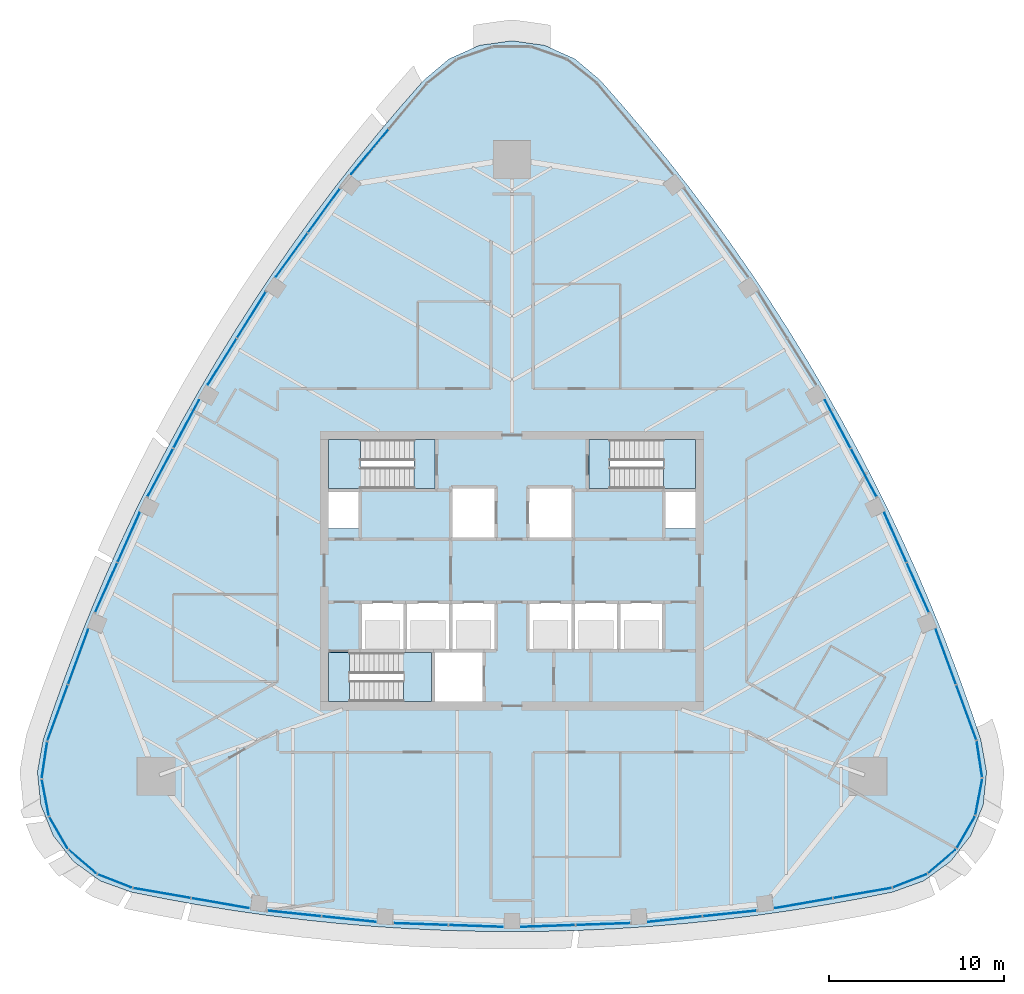
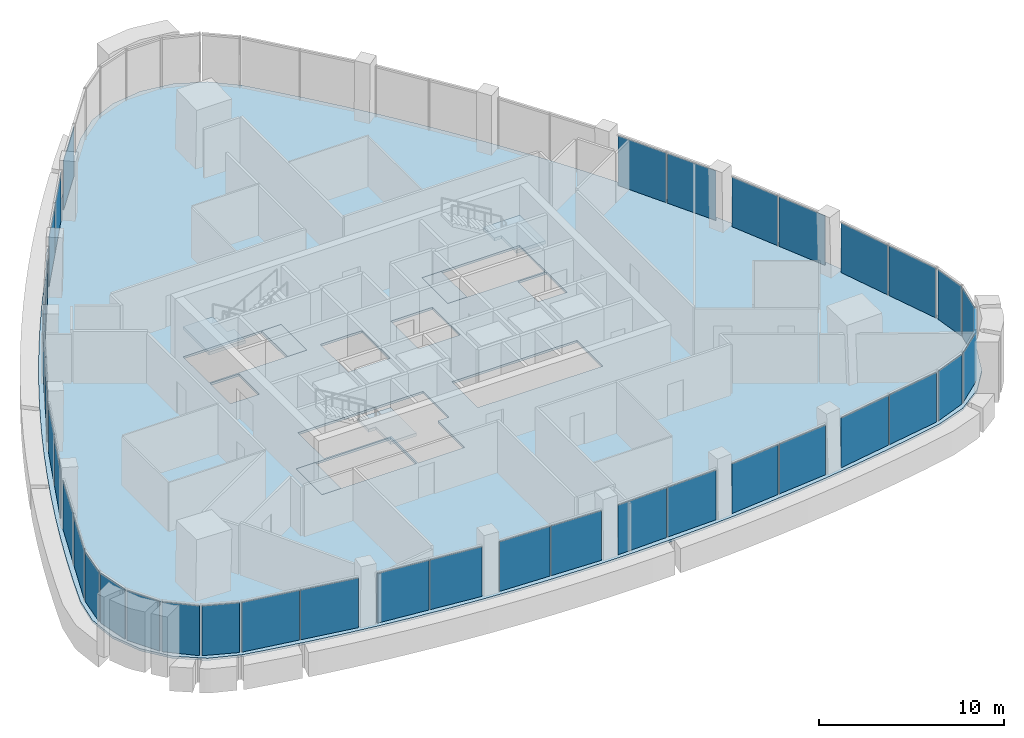
# One storey, part 7 of 15: 39 plates, 7 slabs, 28 elements without a shape of their own.
"""IFC4 building model written with IfcOpenShell, lengths in metres."""

from ifc_helpers import new_model, si_unit, direction, frame, origin, origin_2d, place, context, subcontext, project, spatial, polyline, rectangle, outline, extrude, material, layer, layer_set, type_object, element, aggregate, save


model = new_model("IFC4")

# Units and contexts
model_context = context("Model", 3, precision=1e-05, world=origin(), true_north=direction((0.0, 1.0)))
body_context = subcontext(model_context, "Body", "Model", "MODEL_VIEW")
ifc_project = project(units=[si_unit("LENGTHUNIT", "METRE"), si_unit("AREAUNIT", "SQUARE_METRE"), si_unit("VOLUMEUNIT", "CUBIC_METRE"), si_unit("PLANEANGLEUNIT", "RADIAN"), si_unit("MASSUNIT", "GRAM", prefix="KILO")], contexts=[model_context])

# Site, building, storey
site_placement = place(None, origin())
site = spatial("IfcSite", under=ifc_project, at=site_placement, CompositionType="ELEMENT")
building_placement = place(site_placement, origin())
building = spatial("IfcBuilding", under=site, at=building_placement, Name="Sierra Prisma Convention Tower", CompositionType="ELEMENT")
storey_placement = place(building_placement, frame((0.0, 0.0, 299.0)))
storey = spatial("IfcBuildingStorey", under=building, at=storey_placement, Name="L68", CompositionType="ELEMENT", Elevation=299.0)

# Curtain wall, plates
ifc_material_1 = material(Name="Aluminium and glass curtain wall", Category="aluminium")
ifc_layer_1 = layer(ifc_material_1, 0.179931640625)
ifc_layer_set_1 = layer_set([ifc_layer_1], Name="CW-1 Plain shaft curtain wall")
curtain_wall_type = type_object("IfcCurtainWallType", Name="CW-1 Plain shaft curtain wall", PredefinedType="NOTDEFINED", material=ifc_layer_set_1)
curtain_wall_1_placement = place(storey_placement, origin())
curtain_wall_1 = element("IfcCurtainWall", 1, at=curtain_wall_1_placement, inside=storey, type_object=curtain_wall_type, Name="CW-1 S1 L68", PredefinedType="NOTDEFINED")
ifc_material_2 = material(Name="Tinted glass bronze-grey IGU", Category="glass")
ifc_layer_2 = layer(ifc_material_2, 0.028076171875)
ifc_layer_set_2 = layer_set([ifc_layer_2], Name="CW-1 glass panel")
plate_type = type_object("IfcPlateType", Name="CW-1 glass panel", PredefinedType="CURTAIN_PANEL", material=ifc_layer_set_2)
plate_1_placement = place(storey_placement, frame((-20.03515625, -18.45703125, 0.0), z_axis=(0.0, 0.0, 1.0), x_axis=(0.98519638928, -0.17142950315, 0.0)))
plate_1 = element("IfcPlate", 2, at=plate_1_placement, type_object=plate_type, Name="CW-1 panel S1.1", PredefinedType="CURTAIN_PANEL", context=body_context, shape_type="SweptSolid", body=[
    extrude(rectangle(XDim=3.318359375, YDim=0.028076171875, at=origin_2d()), origin(), (0.0, 0.0, 1.0), 3.280029296875),
])
plate_2_placement = place(storey_placement, frame((-16.697021484375, -19.037841796875, 0.0), z_axis=(0.0, 0.0, 1.0), x_axis=(0.98519638928, -0.17142950315, 0.0)))
plate_2 = element("IfcPlate", 3, at=plate_2_placement, type_object=plate_type, Name="CW-1 panel S1.2", PredefinedType="CURTAIN_PANEL", context=body_context, shape_type="SweptSolid", body=[
    extrude(rectangle(XDim=3.318359375, YDim=0.028076171875, at=origin_2d()), origin(), (0.0, 0.0, 1.0), 3.280029296875),
])
aggregate(curtain_wall_1, [plate_1, plate_2])

curtain_wall_2_placement = place(storey_placement, origin())
curtain_wall_2 = element("IfcCurtainWall", 4, at=curtain_wall_2_placement, inside=storey, type_object=curtain_wall_type, Name="CW-1 S2 L68", PredefinedType="NOTDEFINED")
plate_3_placement = place(storey_placement, frame((-12.4619140625, -19.628173828125, 0.0), z_axis=(0.0, 0.0, 1.0), x_axis=(0.994662254531, -0.103184298277, 0.0)))
plate_3 = element("IfcPlate", 5, at=plate_3_placement, type_object=plate_type, Name="CW-1 panel S2.1", PredefinedType="CURTAIN_PANEL", context=body_context, shape_type="SweptSolid", body=[
    extrude(rectangle(XDim=3.071533203125, YDim=0.028076171875, at=origin_2d()), origin(), (0.0, 0.0, 1.0), 3.280029296875),
])
plate_4_placement = place(storey_placement, frame((-9.337158203125, -19.9521484375, 0.0), z_axis=(0.0, 0.0, 1.0), x_axis=(0.994662254531, -0.103184298277, 0.0)))
plate_4 = element("IfcPlate", 6, at=plate_4_placement, type_object=plate_type, Name="CW-1 panel S2.2", PredefinedType="CURTAIN_PANEL", context=body_context, shape_type="SweptSolid", body=[
    extrude(rectangle(XDim=3.071533203125, YDim=0.028076171875, at=origin_2d()), origin(), (0.0, 0.0, 1.0), 3.280029296875),
])
aggregate(curtain_wall_2, [plate_3, plate_4])

curtain_wall_3_placement = place(storey_placement, origin())
curtain_wall_3 = element("IfcCurtainWall", 7, at=curtain_wall_3_placement, inside=storey, type_object=curtain_wall_type, Name="CW-1 S3 L68", PredefinedType="NOTDEFINED")
plate_5_placement = place(storey_placement, frame((-5.2177734375, -20.23583984375, 0.0), z_axis=(0.0, 0.0, 1.0), x_axis=(0.999406447524, -0.034449276447, 0.0)))
plate_5 = element("IfcPlate", 8, at=plate_5_placement, type_object=plate_type, Name="CW-1 panel S3.1", PredefinedType="CURTAIN_PANEL", context=body_context, shape_type="SweptSolid", body=[
    extrude(rectangle(XDim=3.08740234375, YDim=0.028076171875, at=origin_2d()), origin(), (0.0, 0.0, 1.0), 3.280029296875),
])
plate_6_placement = place(storey_placement, frame((-2.0625, -20.3447265625, 0.0), z_axis=(0.0, 0.0, 1.0), x_axis=(0.999406447524, -0.034449276447, 0.0)))
plate_6 = element("IfcPlate", 9, at=plate_6_placement, type_object=plate_type, Name="CW-1 panel S3.2", PredefinedType="CURTAIN_PANEL", context=body_context, shape_type="SweptSolid", body=[
    extrude(rectangle(XDim=3.08740234375, YDim=0.028076171875, at=origin_2d()), origin(), (0.0, 0.0, 1.0), 3.280029296875),
])
aggregate(curtain_wall_3, [plate_5, plate_6])

curtain_wall_4_placement = place(storey_placement, origin())
curtain_wall_4 = element("IfcCurtainWall", 10, at=curtain_wall_4_placement, inside=storey, type_object=curtain_wall_type, Name="CW-1 S4 L68", PredefinedType="NOTDEFINED")
plate_7_placement = place(storey_placement, frame((2.0625, -20.3447265625, 0.0), z_axis=(0.0, 0.0, 1.0), x_axis=(0.999406447524, 0.034449276447, 0.0)))
plate_7 = element("IfcPlate", 11, at=plate_7_placement, type_object=plate_type, Name="CW-1 panel S4.1", PredefinedType="CURTAIN_PANEL", context=body_context, shape_type="SweptSolid", body=[
    extrude(rectangle(XDim=3.08740234375, YDim=0.028076171875, at=origin_2d()), origin(), (0.0, 0.0, 1.0), 3.280029296875),
])
plate_8_placement = place(storey_placement, frame((5.2177734375, -20.23583984375, 0.0), z_axis=(0.0, 0.0, 1.0), x_axis=(0.999406447524, 0.034449276447, 0.0)))
plate_8 = element("IfcPlate", 12, at=plate_8_placement, type_object=plate_type, Name="CW-1 panel S4.2", PredefinedType="CURTAIN_PANEL", context=body_context, shape_type="SweptSolid", body=[
    extrude(rectangle(XDim=3.08740234375, YDim=0.028076171875, at=origin_2d()), origin(), (0.0, 0.0, 1.0), 3.280029296875),
])
aggregate(curtain_wall_4, [plate_7, plate_8])

curtain_wall_5_placement = place(storey_placement, origin())
curtain_wall_5 = element("IfcCurtainWall", 13, at=curtain_wall_5_placement, inside=storey, type_object=curtain_wall_type, Name="CW-1 S5 L68", PredefinedType="NOTDEFINED")
plate_9_placement = place(storey_placement, frame((9.337158203125, -19.9521484375, 0.0), z_axis=(0.0, 0.0, 1.0), x_axis=(0.994662254531, 0.103184298277, 0.0)))
plate_9 = element("IfcPlate", 14, at=plate_9_placement, type_object=plate_type, Name="CW-1 panel S5.1", PredefinedType="CURTAIN_PANEL", context=body_context, shape_type="SweptSolid", body=[
    extrude(rectangle(XDim=3.071533203125, YDim=0.028076171875, at=origin_2d()), origin(), (0.0, 0.0, 1.0), 3.280029296875),
])
plate_10_placement = place(storey_placement, frame((12.4619140625, -19.628173828125, 0.0), z_axis=(0.0, 0.0, 1.0), x_axis=(0.994662254531, 0.103184298277, 0.0)))
plate_10 = element("IfcPlate", 15, at=plate_10_placement, type_object=plate_type, Name="CW-1 panel S5.2", PredefinedType="CURTAIN_PANEL", context=body_context, shape_type="SweptSolid", body=[
    extrude(rectangle(XDim=3.071533203125, YDim=0.028076171875, at=origin_2d()), origin(), (0.0, 0.0, 1.0), 3.280029296875),
])
aggregate(curtain_wall_5, [plate_9, plate_10])

curtain_wall_6_placement = place(storey_placement, origin())
curtain_wall_6 = element("IfcCurtainWall", 16, at=curtain_wall_6_placement, inside=storey, type_object=curtain_wall_type, Name="CW-1 S6 L68", PredefinedType="NOTDEFINED")
plate_11_placement = place(storey_placement, frame((16.697021484375, -19.037841796875, 0.0), z_axis=(0.0, 0.0, 1.0), x_axis=(0.98519638928, 0.17142950315, 0.0)))
plate_11 = element("IfcPlate", 17, at=plate_11_placement, type_object=plate_type, Name="CW-1 panel S6.1", PredefinedType="CURTAIN_PANEL", context=body_context, shape_type="SweptSolid", body=[
    extrude(rectangle(XDim=3.318359375, YDim=0.028076171875, at=origin_2d()), origin(), (0.0, 0.0, 1.0), 3.280029296875),
])
plate_12_placement = place(storey_placement, frame((20.03515625, -18.45703125, 0.0), z_axis=(0.0, 0.0, 1.0), x_axis=(0.98519638928, 0.17142950315, 0.0)))
plate_12 = element("IfcPlate", 18, at=plate_12_placement, type_object=plate_type, Name="CW-1 panel S6.2", PredefinedType="CURTAIN_PANEL", context=body_context, shape_type="SweptSolid", body=[
    extrude(rectangle(XDim=3.318359375, YDim=0.028076171875, at=origin_2d()), origin(), (0.0, 0.0, 1.0), 3.280029296875),
])
aggregate(curtain_wall_6, [plate_11, plate_12])

# Curtain wall, plate
curtain_wall_7_placement = place(storey_placement, origin())
curtain_wall_7 = element("IfcCurtainWall", 19, at=curtain_wall_7_placement, inside=storey, type_object=curtain_wall_type, Name="CW-1 SE1 L68", PredefinedType="NOTDEFINED")
plate_13_placement = place(storey_placement, frame((22.754150390625, -17.76123046875, 0.0), z_axis=(0.0, 0.0, 1.0), x_axis=(0.930570328446, 0.366113184434, 0.0)))
plate_13 = element("IfcPlate", 20, at=plate_13_placement, type_object=plate_type, Name="CW-1 panel SE1.1", PredefinedType="CURTAIN_PANEL", context=body_context, shape_type="SweptSolid", body=[
    extrude(rectangle(XDim=2.0419921875, YDim=0.028076171875, at=origin_2d()), origin(), (0.0, 0.0, 1.0), 3.280029296875),
])
aggregate(curtain_wall_7, [plate_13])

curtain_wall_8_placement = place(storey_placement, origin())
curtain_wall_8 = element("IfcCurtainWall", 21, at=curtain_wall_8_placement, inside=storey, type_object=curtain_wall_type, Name="CW-1 SE2 L68", PredefinedType="NOTDEFINED")
plate_14_placement = place(storey_placement, frame((24.595947265625, -16.649658203125, 0.0), z_axis=(0.0, 0.0, 1.0), x_axis=(0.757701077551, 0.652601775265, 0.0)))
plate_14 = element("IfcPlate", 22, at=plate_14_placement, type_object=plate_type, Name="CW-1 panel SE2.1", PredefinedType="CURTAIN_PANEL", context=body_context, shape_type="SweptSolid", body=[
    extrude(rectangle(XDim=2.0419921875, YDim=0.028076171875, at=origin_2d()), origin(), (0.0, 0.0, 1.0), 3.280029296875),
])
aggregate(curtain_wall_8, [plate_14])

curtain_wall_9_placement = place(storey_placement, origin())
curtain_wall_9 = element("IfcCurtainWall", 23, at=curtain_wall_9_placement, inside=storey, type_object=curtain_wall_type, Name="CW-1 SE3 L68", PredefinedType="NOTDEFINED")
plate_15_placement = place(storey_placement, frame((25.96826171875, -14.99267578125, 0.0), z_axis=(0.0, 0.0, 1.0), x_axis=(0.5, 0.866025403784, 0.0)))
plate_15 = element("IfcPlate", 24, at=plate_15_placement, type_object=plate_type, Name="CW-1 panel SE3.1", PredefinedType="CURTAIN_PANEL", context=body_context, shape_type="SweptSolid", body=[
    extrude(rectangle(XDim=2.0419921875, YDim=0.028076171875, at=origin_2d()), origin(), (0.0, 0.0, 1.0), 3.280029296875),
])
aggregate(curtain_wall_9, [plate_15])

curtain_wall_10_placement = place(storey_placement, origin())
curtain_wall_10 = element("IfcCurtainWall", 25, at=curtain_wall_10_placement, inside=storey, type_object=curtain_wall_type, Name="CW-1 SE4 L68", PredefinedType="NOTDEFINED")
plate_16_placement = place(storey_placement, frame((26.717041015625, -12.97607421875, 0.0), z_axis=(0.0, 0.0, 1.0), x_axis=(0.186319177159, 0.982489269266, 0.0)))
plate_16 = element("IfcPlate", 26, at=plate_16_placement, type_object=plate_type, Name="CW-1 panel SE4.1", PredefinedType="CURTAIN_PANEL", context=body_context, shape_type="SweptSolid", body=[
    extrude(rectangle(XDim=2.0419921875, YDim=0.028076171875, at=origin_2d()), origin(), (0.0, 0.0, 1.0), 3.280029296875),
])
aggregate(curtain_wall_10, [plate_16])

curtain_wall_11_placement = place(storey_placement, origin())
curtain_wall_11 = element("IfcCurtainWall", 27, at=curtain_wall_11_placement, inside=storey, type_object=curtain_wall_type, Name="CW-1 SE5 L68", PredefinedType="NOTDEFINED")
plate_17_placement = place(storey_placement, frame((26.758544921875, -10.824951171875, 0.0), z_axis=(0.0, 0.0, 1.0), x_axis=(-0.148221845843, 0.988954136659, 0.0)))
plate_17 = element("IfcPlate", 28, at=plate_17_placement, type_object=plate_type, Name="CW-1 panel SE5.1", PredefinedType="CURTAIN_PANEL", context=body_context, shape_type="SweptSolid", body=[
    extrude(rectangle(XDim=2.0419921875, YDim=0.028076171875, at=origin_2d()), origin(), (0.0, 0.0, 1.0), 3.280029296875),
])
aggregate(curtain_wall_11, [plate_17])

# Curtain wall, plates
curtain_wall_12_placement = place(storey_placement, origin())
curtain_wall_12 = element("IfcCurtainWall", 29, at=curtain_wall_12_placement, inside=storey, type_object=curtain_wall_type, Name="CW-1 NE1 L68", PredefinedType="NOTDEFINED")
plate_18_placement = place(storey_placement, frame((26.001953125, -8.12255859375, 0.0), z_axis=(0.0, 0.0, 1.0), x_axis=(-0.344135889954, 0.938919852408, 0.0)))
plate_18 = element("IfcPlate", 30, at=plate_18_placement, type_object=plate_type, Name="CW-1 panel NE1.1", PredefinedType="CURTAIN_PANEL", context=body_context, shape_type="SweptSolid", body=[
    extrude(rectangle(XDim=3.318359375, YDim=0.028076171875, at=origin_2d()), origin(), (0.0, 0.0, 1.0), 3.280029296875),
])
plate_19_placement = place(storey_placement, frame((24.835693359375, -4.941162109375, 0.0), z_axis=(0.0, 0.0, 1.0), x_axis=(-0.344135889954, 0.938919852408, 0.0)))
plate_19 = element("IfcPlate", 31, at=plate_19_placement, type_object=plate_type, Name="CW-1 panel NE1.2", PredefinedType="CURTAIN_PANEL", context=body_context, shape_type="SweptSolid", body=[
    extrude(rectangle(XDim=3.318359375, YDim=0.028076171875, at=origin_2d()), origin(), (0.0, 0.0, 1.0), 3.280029296875),
])
aggregate(curtain_wall_12, [plate_18, plate_19])

curtain_wall_13_placement = place(storey_placement, origin())
curtain_wall_13 = element("IfcCurtainWall", 32, at=curtain_wall_13_placement, inside=storey, type_object=curtain_wall_type, Name="CW-1 NE2 L68", PredefinedType="NOTDEFINED")
plate_20_placement = place(storey_placement, frame((23.2294921875, -0.978515625, 0.0), z_axis=(0.0, 0.0, 1.0), x_axis=(-0.407970903686, 0.912994929748, 0.0)))
plate_20 = element("IfcPlate", 33, at=plate_20_placement, type_object=plate_type, Name="CW-1 panel NE2.1", PredefinedType="CURTAIN_PANEL", context=body_context, shape_type="SweptSolid", body=[
    extrude(rectangle(XDim=3.071533203125, YDim=0.028076171875, at=origin_2d()), origin(), (0.0, 0.0, 1.0), 3.280029296875),
])
plate_21_placement = place(storey_placement, frame((21.94775390625, 1.889892578125, 0.0), z_axis=(0.0, 0.0, 1.0), x_axis=(-0.407970903686, 0.912994929748, 0.0)))
plate_21 = element("IfcPlate", 34, at=plate_21_placement, type_object=plate_type, Name="CW-1 panel NE2.2", PredefinedType="CURTAIN_PANEL", context=body_context, shape_type="SweptSolid", body=[
    extrude(rectangle(XDim=3.071533203125, YDim=0.028076171875, at=origin_2d()), origin(), (0.0, 0.0, 1.0), 3.280029296875),
])
aggregate(curtain_wall_13, [plate_20, plate_21])

curtain_wall_14_placement = place(storey_placement, origin())
curtain_wall_14 = element("IfcCurtainWall", 35, at=curtain_wall_14_placement, inside=storey, type_object=curtain_wall_type, Name="CW-1 NE3 L68", PredefinedType="NOTDEFINED")
plate_22_placement = place(storey_placement, frame((20.1337890625, 5.59912109375, 0.0), z_axis=(0.0, 0.0, 1.0), x_axis=(-0.469869275217, 0.882736010485, 0.0)))
plate_22 = element("IfcPlate", 36, at=plate_22_placement, type_object=plate_type, Name="CW-1 panel NE3.1", PredefinedType="CURTAIN_PANEL", context=body_context, shape_type="SweptSolid", body=[
    extrude(rectangle(XDim=3.08740234375, YDim=0.028076171875, at=origin_2d()), origin(), (0.0, 0.0, 1.0), 3.280029296875),
])
plate_23_placement = place(storey_placement, frame((18.650146484375, 8.38623046875, 0.0), z_axis=(0.0, 0.0, 1.0), x_axis=(-0.469869275217, 0.882736010485, 0.0)))
plate_23 = element("IfcPlate", 37, at=plate_23_placement, type_object=plate_type, Name="CW-1 panel NE3.2", PredefinedType="CURTAIN_PANEL", context=body_context, shape_type="SweptSolid", body=[
    extrude(rectangle(XDim=3.08740234375, YDim=0.028076171875, at=origin_2d()), origin(), (0.0, 0.0, 1.0), 3.280029296875),
])
aggregate(curtain_wall_14, [plate_22, plate_23])

# Curtain wall, plate
curtain_wall_15_placement = place(storey_placement, origin())
curtain_wall_15 = element("IfcCurtainWall", 38, at=curtain_wall_15_placement, inside=storey, type_object=curtain_wall_type, Name="CW-1 NW1 L68", PredefinedType="NOTDEFINED")
plate_24_placement = place(storey_placement, frame((-8.138671875, 23.97900390625, 0.0), z_axis=(0.0, 0.0, 1.0), x_axis=(-0.641060499326, -0.767490349258, 0.0)))
plate_24 = element("IfcPlate", 39, at=plate_24_placement, type_object=plate_type, Name="CW-1 panel NW1.2", PredefinedType="CURTAIN_PANEL", context=body_context, shape_type="SweptSolid", body=[
    extrude(rectangle(XDim=3.318359375, YDim=0.028076171875, at=origin_2d()), origin(), (0.0, 0.0, 1.0), 3.280029296875),
])
aggregate(curtain_wall_15, [plate_24])

# Curtain wall, plates
curtain_wall_16_placement = place(storey_placement, origin())
curtain_wall_16 = element("IfcCurtainWall", 40, at=curtain_wall_16_placement, inside=storey, type_object=curtain_wall_type, Name="CW-1 NW2 L68", PredefinedType="NOTDEFINED")
plate_25_placement = place(storey_placement, frame((-10.767578125, 20.606201171875, 0.0), z_axis=(0.0, 0.0, 1.0), x_axis=(-0.586691350845, -0.809810631471, 0.0)))
plate_25 = element("IfcPlate", 41, at=plate_25_placement, type_object=plate_type, Name="CW-1 panel NW2.1", PredefinedType="CURTAIN_PANEL", context=body_context, shape_type="SweptSolid", body=[
    extrude(rectangle(XDim=3.071533203125, YDim=0.028076171875, at=origin_2d()), origin(), (0.0, 0.0, 1.0), 3.280029296875),
])
plate_26_placement = place(storey_placement, frame((-12.610595703125, 18.062255859375, 0.0), z_axis=(0.0, 0.0, 1.0), x_axis=(-0.586691350845, -0.809810631471, 0.0)))
plate_26 = element("IfcPlate", 42, at=plate_26_placement, type_object=plate_type, Name="CW-1 panel NW2.2", PredefinedType="CURTAIN_PANEL", context=body_context, shape_type="SweptSolid", body=[
    extrude(rectangle(XDim=3.071533203125, YDim=0.028076171875, at=origin_2d()), origin(), (0.0, 0.0, 1.0), 3.280029296875),
])
aggregate(curtain_wall_16, [plate_25, plate_26])

curtain_wall_17_placement = place(storey_placement, origin())
curtain_wall_17 = element("IfcCurtainWall", 43, at=curtain_wall_17_placement, inside=storey, type_object=curtain_wall_type, Name="CW-1 NW3 L68", PredefinedType="NOTDEFINED")
plate_27_placement = place(storey_placement, frame((-14.915771484375, 14.63671875, 0.0), z_axis=(0.0, 0.0, 1.0), x_axis=(-0.529537172307, -0.848286734038, 0.0)))
plate_27 = element("IfcPlate", 44, at=plate_27_placement, type_object=plate_type, Name="CW-1 panel NW3.1", PredefinedType="CURTAIN_PANEL", context=body_context, shape_type="SweptSolid", body=[
    extrude(rectangle(XDim=3.08740234375, YDim=0.028076171875, at=origin_2d()), origin(), (0.0, 0.0, 1.0), 3.280029296875),
])
plate_28_placement = place(storey_placement, frame((-16.587646484375, 11.95849609375, 0.0), z_axis=(0.0, 0.0, 1.0), x_axis=(-0.529537172307, -0.848286734038, 0.0)))
plate_28 = element("IfcPlate", 45, at=plate_28_placement, type_object=plate_type, Name="CW-1 panel NW3.2", PredefinedType="CURTAIN_PANEL", context=body_context, shape_type="SweptSolid", body=[
    extrude(rectangle(XDim=3.08740234375, YDim=0.028076171875, at=origin_2d()), origin(), (0.0, 0.0, 1.0), 3.280029296875),
])
aggregate(curtain_wall_17, [plate_27, plate_28])

curtain_wall_18_placement = place(storey_placement, origin())
curtain_wall_18 = element("IfcCurtainWall", 46, at=curtain_wall_18_placement, inside=storey, type_object=curtain_wall_type, Name="CW-1 NW4 L68", PredefinedType="NOTDEFINED")
plate_29_placement = place(storey_placement, frame((-18.650146484375, 8.38623046875, 0.0), z_axis=(0.0, 0.0, 1.0), x_axis=(-0.469869275217, -0.882736010485, 0.0)))
plate_29 = element("IfcPlate", 47, at=plate_29_placement, type_object=plate_type, Name="CW-1 panel NW4.1", PredefinedType="CURTAIN_PANEL", context=body_context, shape_type="SweptSolid", body=[
    extrude(rectangle(XDim=3.08740234375, YDim=0.028076171875, at=origin_2d()), origin(), (0.0, 0.0, 1.0), 3.280029296875),
])
plate_30_placement = place(storey_placement, frame((-20.1337890625, 5.59912109375, 0.0), z_axis=(0.0, 0.0, 1.0), x_axis=(-0.469869275217, -0.882736010485, 0.0)))
plate_30 = element("IfcPlate", 48, at=plate_30_placement, type_object=plate_type, Name="CW-1 panel NW4.2", PredefinedType="CURTAIN_PANEL", context=body_context, shape_type="SweptSolid", body=[
    extrude(rectangle(XDim=3.08740234375, YDim=0.028076171875, at=origin_2d()), origin(), (0.0, 0.0, 1.0), 3.280029296875),
])
aggregate(curtain_wall_18, [plate_29, plate_30])

curtain_wall_19_placement = place(storey_placement, origin())
curtain_wall_19 = element("IfcCurtainWall", 49, at=curtain_wall_19_placement, inside=storey, type_object=curtain_wall_type, Name="CW-1 NW5 L68", PredefinedType="NOTDEFINED")
plate_31_placement = place(storey_placement, frame((-21.94775390625, 1.889892578125, 0.0), z_axis=(0.0, 0.0, 1.0), x_axis=(-0.407970903686, -0.912994929748, 0.0)))
plate_31 = element("IfcPlate", 50, at=plate_31_placement, type_object=plate_type, Name="CW-1 panel NW5.1", PredefinedType="CURTAIN_PANEL", context=body_context, shape_type="SweptSolid", body=[
    extrude(rectangle(XDim=3.071533203125, YDim=0.028076171875, at=origin_2d()), origin(), (0.0, 0.0, 1.0), 3.280029296875),
])
plate_32_placement = place(storey_placement, frame((-23.229248046875, -0.978271484375, 0.0), z_axis=(0.0, 0.0, 1.0), x_axis=(-0.407970903686, -0.912994929748, 0.0)))
plate_32 = element("IfcPlate", 51, at=plate_32_placement, type_object=plate_type, Name="CW-1 panel NW5.2", PredefinedType="CURTAIN_PANEL", context=body_context, shape_type="SweptSolid", body=[
    extrude(rectangle(XDim=3.071533203125, YDim=0.028076171875, at=origin_2d()), origin(), (0.0, 0.0, 1.0), 3.280029296875),
])
aggregate(curtain_wall_19, [plate_31, plate_32])

curtain_wall_20_placement = place(storey_placement, origin())
curtain_wall_20 = element("IfcCurtainWall", 52, at=curtain_wall_20_placement, inside=storey, type_object=curtain_wall_type, Name="CW-1 NW6 L68", PredefinedType="NOTDEFINED")
plate_33_placement = place(storey_placement, frame((-24.835693359375, -4.941162109375, 0.0), z_axis=(0.0, 0.0, 1.0), x_axis=(-0.344135889954, -0.938919852408, 0.0)))
plate_33 = element("IfcPlate", 53, at=plate_33_placement, type_object=plate_type, Name="CW-1 panel NW6.1", PredefinedType="CURTAIN_PANEL", context=body_context, shape_type="SweptSolid", body=[
    extrude(rectangle(XDim=3.318359375, YDim=0.028076171875, at=origin_2d()), origin(), (0.0, 0.0, 1.0), 3.280029296875),
])
plate_34_placement = place(storey_placement, frame((-26.001953125, -8.12255859375, 0.0), z_axis=(0.0, 0.0, 1.0), x_axis=(-0.344135889954, -0.938919852408, 0.0)))
plate_34 = element("IfcPlate", 54, at=plate_34_placement, type_object=plate_type, Name="CW-1 panel NW6.2", PredefinedType="CURTAIN_PANEL", context=body_context, shape_type="SweptSolid", body=[
    extrude(rectangle(XDim=3.318359375, YDim=0.028076171875, at=origin_2d()), origin(), (0.0, 0.0, 1.0), 3.280029296875),
])
aggregate(curtain_wall_20, [plate_33, plate_34])

# Curtain wall, plate
curtain_wall_21_placement = place(storey_placement, origin())
curtain_wall_21 = element("IfcCurtainWall", 55, at=curtain_wall_21_placement, inside=storey, type_object=curtain_wall_type, Name="CW-1 SW1 L68", PredefinedType="NOTDEFINED")
plate_35_placement = place(storey_placement, frame((-26.758544921875, -10.824951171875, 0.0), z_axis=(0.0, 0.0, 1.0), x_axis=(-0.148221845843, -0.988954136659, 0.0)))
plate_35 = element("IfcPlate", 56, at=plate_35_placement, type_object=plate_type, Name="CW-1 panel SW1.1", PredefinedType="CURTAIN_PANEL", context=body_context, shape_type="SweptSolid", body=[
    extrude(rectangle(XDim=2.0419921875, YDim=0.028076171875, at=origin_2d()), origin(), (0.0, 0.0, 1.0), 3.280029296875),
])
aggregate(curtain_wall_21, [plate_35])

curtain_wall_22_placement = place(storey_placement, origin())
curtain_wall_22 = element("IfcCurtainWall", 57, at=curtain_wall_22_placement, inside=storey, type_object=curtain_wall_type, Name="CW-1 SW2 L68", PredefinedType="NOTDEFINED")
plate_36_placement = place(storey_placement, frame((-26.717041015625, -12.97607421875, 0.0), z_axis=(0.0, 0.0, 1.0), x_axis=(0.186319177159, -0.982489269266, 0.0)))
plate_36 = element("IfcPlate", 58, at=plate_36_placement, type_object=plate_type, Name="CW-1 panel SW2.1", PredefinedType="CURTAIN_PANEL", context=body_context, shape_type="SweptSolid", body=[
    extrude(rectangle(XDim=2.0419921875, YDim=0.028076171875, at=origin_2d()), origin(), (0.0, 0.0, 1.0), 3.280029296875),
])
aggregate(curtain_wall_22, [plate_36])

curtain_wall_23_placement = place(storey_placement, origin())
curtain_wall_23 = element("IfcCurtainWall", 59, at=curtain_wall_23_placement, inside=storey, type_object=curtain_wall_type, Name="CW-1 SW3 L68", PredefinedType="NOTDEFINED")
plate_37_placement = place(storey_placement, frame((-25.96826171875, -14.99267578125, 0.0), z_axis=(0.0, 0.0, 1.0), x_axis=(0.5, -0.866025403784, 0.0)))
plate_37 = element("IfcPlate", 60, at=plate_37_placement, type_object=plate_type, Name="CW-1 panel SW3.1", PredefinedType="CURTAIN_PANEL", context=body_context, shape_type="SweptSolid", body=[
    extrude(rectangle(XDim=2.0419921875, YDim=0.028076171875, at=origin_2d()), origin(), (0.0, 0.0, 1.0), 3.280029296875),
])
aggregate(curtain_wall_23, [plate_37])

curtain_wall_24_placement = place(storey_placement, origin())
curtain_wall_24 = element("IfcCurtainWall", 61, at=curtain_wall_24_placement, inside=storey, type_object=curtain_wall_type, Name="CW-1 SW4 L68", PredefinedType="NOTDEFINED")
plate_38_placement = place(storey_placement, frame((-24.595947265625, -16.649658203125, 0.0), z_axis=(0.0, 0.0, 1.0), x_axis=(0.757701077551, -0.652601775265, 0.0)))
plate_38 = element("IfcPlate", 62, at=plate_38_placement, type_object=plate_type, Name="CW-1 panel SW4.1", PredefinedType="CURTAIN_PANEL", context=body_context, shape_type="SweptSolid", body=[
    extrude(rectangle(XDim=2.0419921875, YDim=0.028076171875, at=origin_2d()), origin(), (0.0, 0.0, 1.0), 3.280029296875),
])
aggregate(curtain_wall_24, [plate_38])

curtain_wall_25_placement = place(storey_placement, origin())
curtain_wall_25 = element("IfcCurtainWall", 63, at=curtain_wall_25_placement, inside=storey, type_object=curtain_wall_type, Name="CW-1 SW5 L68", PredefinedType="NOTDEFINED")
plate_39_placement = place(storey_placement, frame((-22.754150390625, -17.76123046875, 0.0), z_axis=(0.0, 0.0, 1.0), x_axis=(0.930570328446, -0.366113184434, 0.0)))
plate_39 = element("IfcPlate", 64, at=plate_39_placement, type_object=plate_type, Name="CW-1 panel SW5.1", PredefinedType="CURTAIN_PANEL", context=body_context, shape_type="SweptSolid", body=[
    extrude(rectangle(XDim=2.0419921875, YDim=0.028076171875, at=origin_2d()), origin(), (0.0, 0.0, 1.0), 3.280029296875),
])
aggregate(curtain_wall_25, [plate_39])

# Slab
ifc_material_3 = material(Name="Concrete C35/45", Category="concrete")
ifc_layer_3 = layer(ifc_material_3, 0.14990234375)
ifc_layer_set_3 = layer_set([ifc_layer_3], Name="Composite floor slab 150")
slab_type_1 = type_object("IfcSlabType", Name="Composite floor slab 150", PredefinedType="FLOOR", material=ifc_layer_set_3)
slab_1_placement = place(storey_placement, frame((0.0, 0.0, -0.14990234375)))
element("IfcSlab", 65, at=slab_1_placement, inside=storey, type_object=slab_type_1, Name="Floor slab L68 floor", PredefinedType="FLOOR", context=body_context, shape_type="SweptSolid", body=[
    extrude(outline(polyline([(-21.7900390625, -18.4052734375), (-19.833740234375, -18.79638671875), (-17.870361328125, -19.150634765625), (-15.900634765625, -19.468017578125), (-13.925537109375, -19.748291015625), (-11.9453125, -19.991455078125), (-9.960693359375, -20.197265625), (-7.972900390625, -20.365966796875), (-5.982177734375, -20.4970703125), (-3.9892578125, -20.5908203125), (-1.994873046875, -20.64697265625), (0.0, -20.665771484375), (1.994873046875, -20.64697265625), (3.9892578125, -20.5908203125), (5.982177734375, -20.4970703125), (7.972900390625, -20.365966796875), (9.960693359375, -20.197265625), (11.9453125, -19.991455078125), (13.925537109375, -19.748291015625), (15.900634765625, -19.468017578125), (17.870361328125, -19.150634765625), (19.833740234375, -18.79638671875), (21.7900390625, -18.4052734375), (23.568359375, -17.762451171875), (25.099609375, -16.6533203125), (26.264404296875, -15.163818359375), (26.971923828125, -13.41015625), (27.1669921875, -11.529541015625), (26.83447265625, -9.668212890625), (26.195068359375, -7.7783203125), (25.520263671875, -5.90087890625), (24.810302734375, -4.036376953125), (24.0654296875, -2.185546875), (23.28564453125, -0.34912109375), (22.471923828125, 1.472412109375), (21.623779296875, 3.2783203125), (20.741943359375, 5.06787109375), (19.82666015625, 6.840576171875), (18.878173828125, 8.595703125), (17.89697265625, 10.332763671875), (16.88330078125, 12.05126953125), (15.83740234375, 13.750244140625), (14.759765625, 15.42919921875), (13.65087890625, 17.087646484375), (12.510986328125, 18.72509765625), (11.340576171875, 20.340576171875), (10.139892578125, 21.93408203125), (8.909423828125, 23.50439453125), (7.64990234375, 25.051513671875), (6.361328125, 26.57470703125), (5.04443359375, 28.073486328125), (3.5986328125, 29.2919921875), (1.872314453125, 30.0634765625), (0.0, 30.327392578125), (-1.872314453125, 30.0634765625), (-3.5986328125, 29.2919921875), (-5.04443359375, 28.073486328125), (-6.361328125, 26.57470703125), (-7.64990234375, 25.051513671875), (-8.909423828125, 23.50439453125), (-10.139892578125, 21.93408203125), (-11.340576171875, 20.340576171875), (-12.510986328125, 18.72509765625), (-13.65087890625, 17.087646484375), (-14.759765625, 15.42919921875), (-15.83740234375, 13.750244140625), (-16.88330078125, 12.05126953125), (-17.89697265625, 10.332763671875), (-18.878173828125, 8.595703125), (-19.82666015625, 6.840576171875), (-20.741943359375, 5.06787109375), (-21.623779296875, 3.2783203125), (-22.471923828125, 1.472412109375), (-23.28564453125, -0.34912109375), (-24.0654296875, -2.185546875), (-24.810302734375, -4.036376953125), (-25.520263671875, -5.90087890625), (-26.195068359375, -7.7783203125), (-26.83447265625, -9.668212890625), (-27.1669921875, -11.529541015625), (-26.971923828125, -13.41015625), (-26.264404296875, -15.163818359375), (-25.099609375, -16.6533203125), (-23.568359375, -17.762451171875), (-21.7900390625, -18.4052734375)]), holes=[polyline([(-4.60009765625, -4.699951171875), (-4.60009765625, -7.5), (-10.5, -7.5), (-10.5, -4.699951171875), (-4.60009765625, -4.699951171875)]), polyline([(-4.5, -7.5), (-4.5, -4.60009765625), (-6.10009765625, -4.60009765625), (-8.699951171875, -4.60009765625), (-8.699951171875, -1.800048828125), (-6.10009765625, -1.800048828125), (-3.5, -1.800048828125), (-0.89990234375, -1.800048828125), (-0.89990234375, -4.60009765625), (-1.60009765625, -4.60009765625), (-1.60009765625, -7.5), (-4.5, -7.5)]), polyline([(-8.699951171875, 2.39990234375), (-10.5, 2.39990234375), (-10.5, 4.60009765625), (-8.699951171875, 4.60009765625), (-8.699951171875, 2.39990234375)]), polyline([(-4.39990234375, 4.699951171875), (-10.5, 4.699951171875), (-10.5, 7.5), (-4.39990234375, 7.5), (-4.39990234375, 4.699951171875)]), polyline([(3.5, -1.800048828125), (6.10009765625, -1.800048828125), (8.699951171875, -1.800048828125), (8.699951171875, -4.60009765625), (6.10009765625, -4.60009765625), (3.5, -4.60009765625), (0.89990234375, -4.60009765625), (0.89990234375, -1.800048828125), (3.5, -1.800048828125)]), polyline([(-0.89990234375, 1.800048828125), (-3.5, 1.800048828125), (-3.5, 4.800048828125), (-0.89990234375, 4.800048828125), (-0.89990234375, 1.800048828125)]), polyline([(3.5, 1.800048828125), (0.89990234375, 1.800048828125), (0.89990234375, 4.800048828125), (3.5, 4.800048828125), (3.5, 1.800048828125)]), polyline([(10.5, 2.39990234375), (8.699951171875, 2.39990234375), (8.699951171875, 4.60009765625), (10.5, 4.60009765625), (10.5, 2.39990234375)]), polyline([(10.5, 4.699951171875), (4.39990234375, 4.699951171875), (4.39990234375, 7.5), (10.5, 7.5), (10.5, 4.699951171875)])]), origin(), (0.0, 0.0, 1.0), 0.14990234375),
])

# Stair, slab
ifc_material_4 = material(Name="Concrete C30/37", Category="concrete")
stair_type = type_object("IfcStairType", Name="Stair dog-leg 1200 RC", PredefinedType="HALF_TURN_STAIR", material=ifc_material_4)
stair_1_placement = place(storey_placement, origin())
stair_1 = element("IfcStair", 66, at=stair_1_placement, inside=storey, type_object=stair_type, Name="L68 S1", PredefinedType="HALF_TURN_STAIR")
ifc_material_5 = material(Name="Concrete C35/45", Category="concrete")
ifc_layer_4 = layer(ifc_material_5, 0.199951171875)
ifc_layer_set_4 = layer_set([ifc_layer_4], Name="Stair landing slab")
slab_type_2 = type_object("IfcSlabType", Name="Stair landing slab", PredefinedType="LANDING", material=ifc_layer_set_4)
slab_2_placement = place(storey_placement, frame((0.0, 0.0, 1.800048828125)))
slab_2 = element("IfcSlab", 67, at=slab_2_placement, type_object=slab_type_2, Name="S1 landing 1", PredefinedType="LANDING", context=body_context, shape_type="SweptSolid", body=[
    extrude(outline(polyline([(-4.60009765625, -4.699951171875), (-4.60009765625, -7.5), (-6.221923828125, -7.5), (-6.221923828125, -5.89990234375), (-6.669921875, -5.89990234375), (-6.669921875, -4.699951171875), (-4.60009765625, -4.699951171875)])), origin(), (0.0, 0.0, 1.0), 0.199951171875),
])
aggregate(stair_1, [slab_2])

# Slab
slab_3_placement = place(storey_placement, frame((0.0, 0.0, -0.199951171875)))
element("IfcSlab", 68, at=slab_3_placement, inside=storey, type_object=slab_type_2, Name="S1 floor landing L68", PredefinedType="LANDING", context=body_context, shape_type="SweptSolid", body=[
    extrude(outline(polyline([(-10.5, -7.5), (-9.298095703125, -7.5), (-9.298095703125, -4.699951171875), (-10.5, -4.699951171875), (-10.5, -7.5)])), origin(), (0.0, 0.0, 1.0), 0.199951171875),
])

# Stair, slab
stair_2_placement = place(storey_placement, origin())
stair_2 = element("IfcStair", 69, at=stair_2_placement, inside=storey, type_object=stair_type, Name="L68 S3", PredefinedType="HALF_TURN_STAIR")
slab_4_placement = place(storey_placement, frame((0.0, 0.0, 1.800048828125)))
slab_4 = element("IfcSlab", 70, at=slab_4_placement, type_object=slab_type_2, Name="S3 landing 1", PredefinedType="LANDING", context=body_context, shape_type="SweptSolid", body=[
    extrude(outline(polyline([(-8.22998046875, 5.89990234375), (-8.22998046875, 4.699951171875), (-10.5, 4.699951171875), (-10.5, 7.5), (-8.677978515625, 7.5), (-8.677978515625, 5.89990234375), (-8.22998046875, 5.89990234375)])), origin(), (0.0, 0.0, 1.0), 0.199951171875),
])
aggregate(stair_2, [slab_4])

# Slab
slab_5_placement = place(storey_placement, frame((0.0, 0.0, -0.199951171875)))
element("IfcSlab", 71, at=slab_5_placement, inside=storey, type_object=slab_type_2, Name="S3 floor landing L68", PredefinedType="LANDING", context=body_context, shape_type="SweptSolid", body=[
    extrude(outline(polyline([(-4.39990234375, 7.5), (-5.60205078125, 7.5), (-5.60205078125, 4.699951171875), (-4.39990234375, 4.699951171875), (-4.39990234375, 7.5)])), origin(), (0.0, 0.0, 1.0), 0.199951171875),
])

# Stair, slab
stair_3_placement = place(storey_placement, origin())
stair_3 = element("IfcStair", 72, at=stair_3_placement, inside=storey, type_object=stair_type, Name="L68 S4", PredefinedType="HALF_TURN_STAIR")
slab_6_placement = place(storey_placement, frame((0.0, 0.0, 1.800048828125)))
slab_6 = element("IfcSlab", 73, at=slab_6_placement, type_object=slab_type_2, Name="S4 landing 1", PredefinedType="LANDING", context=body_context, shape_type="SweptSolid", body=[
    extrude(outline(polyline([(10.5, 7.5), (10.5, 4.699951171875), (8.677978515625, 4.699951171875), (8.677978515625, 6.300048828125), (8.22998046875, 6.300048828125), (8.22998046875, 7.5), (10.5, 7.5)])), origin(), (0.0, 0.0, 1.0), 0.199951171875),
])
aggregate(stair_3, [slab_6])

# Slab
slab_7_placement = place(storey_placement, frame((0.0, 0.0, -0.199951171875)))
element("IfcSlab", 74, at=slab_7_placement, inside=storey, type_object=slab_type_2, Name="S4 floor landing L68", PredefinedType="LANDING", context=body_context, shape_type="SweptSolid", body=[
    extrude(outline(polyline([(4.39990234375, 4.699951171875), (5.60205078125, 4.699951171875), (5.60205078125, 7.5), (4.39990234375, 7.5), (4.39990234375, 4.699951171875)])), origin(), (0.0, 0.0, 1.0), 0.199951171875),
])

save(model, "model.ifc")
